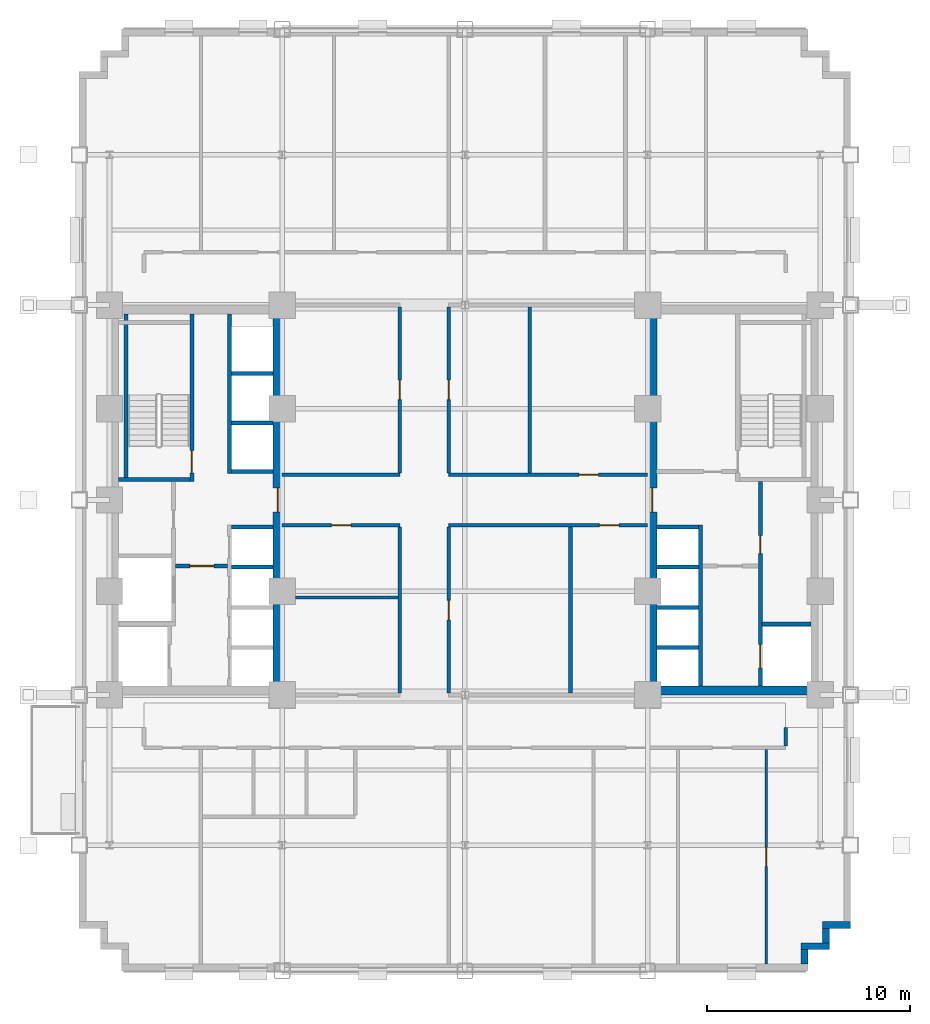
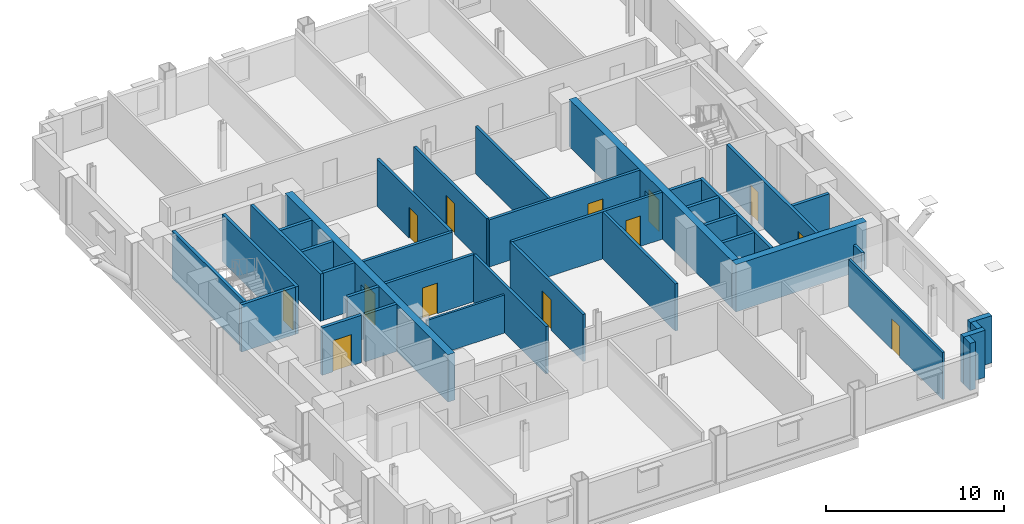
# One storey, part 6 of 12: 37 walls, 13 doors, 13 openings.
"""IFC4 building model written with IfcOpenShell, lengths in metres."""

from ifc_helpers import new_model, si_unit, direction, frame, frame_2d, origin, place, context, subcontext, project, spatial, rectangle, extrude, source, transform, mapped, material, layer, layer_set, type_object, type_shapes, element, fill, save


model = new_model("IFC4")

# Units and contexts
model_context = context("Model", 3, precision=1e-05, world=origin(), true_north=direction((0.0, 1.0)))
body_context = subcontext(model_context, "Body", "Model", "MODEL_VIEW")
ifc_project = project(units=[si_unit("LENGTHUNIT", "METRE"), si_unit("AREAUNIT", "SQUARE_METRE"), si_unit("VOLUMEUNIT", "CUBIC_METRE"), si_unit("PLANEANGLEUNIT", "RADIAN"), si_unit("MASSUNIT", "GRAM", prefix="KILO")], contexts=[model_context])

# Site, building, storey
site_placement = place(None, origin())
site = spatial("IfcSite", under=ifc_project, at=site_placement, CompositionType="ELEMENT")
building_placement = place(site_placement, origin())
building = spatial("IfcBuilding", under=site, at=building_placement, Name="Nuvemarco Arch Tower", CompositionType="ELEMENT")
storey_placement = place(building_placement, frame((0.0, 0.0, 53.14990234375)))
storey = spatial("IfcBuildingStorey", under=building, at=storey_placement, Name="L13", CompositionType="ELEMENT", Elevation=53.14990234375)

# Walls
ifc_material_1 = material(Name="Precast concrete C45/55", Category="concrete")
ifc_layer_1 = layer(ifc_material_1, 0.340087890625, Name="EW-LOW-340")
ifc_layer_set_1 = layer_set([ifc_layer_1], Name="Precast concrete C45/55")
wall_type_1 = type_object("IfcWallType", Name="EW-LOW-340", PredefinedType="STANDARD", material=ifc_layer_set_1)
wall_1_placement = place(storey_placement, frame((16.72998046875, -22.864013671875, 0.0), z_axis=(0.0, 0.0, 1.0), x_axis=(0.0, 1.0, 0.0)))
element("IfcWall", 1, at=wall_1_placement, inside=storey, type_object=wall_type_1, Name="L13 exterior precast facade wall 2", PredefinedType="STANDARD", context=body_context, shape_type="SweptSolid", body=[
    extrude(rectangle(XDim=0.718017578125, YDim=0.340087890625, at=frame_2d((0.35888671875, 0.0))), origin(), (0.0, 0.0, 1.0), 3.239990234375),
])
wall_2_placement = place(storey_placement, frame((16.56005859375, -21.97998046875, 0.0), z_axis=(0.0, 0.0, 1.0), x_axis=(1.0, 0.0, 0.0)))
element("IfcWall", 2, at=wall_2_placement, inside=storey, type_object=wall_type_1, Name="L13 exterior precast facade wall 3", PredefinedType="STANDARD", context=body_context, shape_type="SweptSolid", body=[
    extrude(rectangle(XDim=1.389892578125, YDim=0.340087890625, at=frame_2d((0.69482421875, 0.0))), origin(), (0.0, 0.0, 1.0), 3.239990234375),
])
wall_3_placement = place(storey_placement, frame((17.780029296875, -21.81396484375, 0.0), z_axis=(0.0, 0.0, 1.0), x_axis=(0.0, 1.0, 0.0)))
element("IfcWall", 3, at=wall_3_placement, inside=storey, type_object=wall_type_1, Name="L13 exterior precast facade wall 4", PredefinedType="STANDARD", context=body_context, shape_type="SweptSolid", body=[
    extrude(rectangle(XDim=0.718017578125, YDim=0.340087890625, at=frame_2d((0.35888671875, 0.0))), origin(), (0.0, 0.0, 1.0), 3.239990234375),
])
wall_4_placement = place(storey_placement, frame((17.610107421875, -20.929931640625, 0.0), z_axis=(0.0, 0.0, 1.0), x_axis=(1.0, 0.0, 0.0)))
element("IfcWall", 4, at=wall_4_placement, inside=storey, type_object=wall_type_1, Name="L13 exterior precast facade wall 5", PredefinedType="STANDARD", context=body_context, shape_type="SweptSolid", body=[
    extrude(rectangle(XDim=1.389892578125, YDim=0.340087890625, at=frame_2d((0.69482421875, 0.0))), origin(), (0.0, 0.0, 1.0), 3.239990234375),
])

# Wall, opening, door
ifc_material_2 = material(Name="Concrete C60/75", Category="concrete")
ifc_layer_2 = layer(ifc_material_2, 0.449951171875, Name="WL-CORE-450")
ifc_layer_set_2 = layer_set([ifc_layer_2], Name="Concrete C60/75")
wall_type_2 = type_object("IfcWallType", Name="WL-CORE-450", PredefinedType="SHEAR", material=ifc_layer_set_2)
wall_5_placement = place(storey_placement, frame((-9.22509765625, -9.155029296875, 0.0), z_axis=(0.0, 0.0, 1.0), x_axis=(0.0, 1.0, 0.0)))
wall_5 = element("IfcWall", 5, at=wall_5_placement, inside=storey, type_object=wall_type_2, Name="L13 W-core shear wall E", PredefinedType="SHEAR", context=body_context, shape_type="SweptSolid", body=[
    extrude(rectangle(XDim=18.31005859375, YDim=0.449951171875, at=frame_2d((9.155029296875, 0.0))), origin(), (0.0, 0.0, 1.0), 3.25),
])
opening_1_placement = place(wall_5_placement, frame((8.554931640625, 0.0, 0.0)))
opening_1 = element("IfcOpeningElement", 6, at=opening_1_placement, cuts=wall_5, Name="Opening FD-2", PredefinedType="OPENING", context=body_context, shape_type="SweptSolid", body=[
    extrude(rectangle(XDim=1.199951171875, YDim=2.14990234375, at=frame_2d((0.60009765625, 1.074951171875))), frame((0.0, 0.23486328125, 0.0), z_axis=(0.0, -1.0, 0.0), x_axis=(1.0, 0.0, 0.0)), (0.0, 0.0, 1.0), 0.469970703125),
])
ifc_material_3 = material(Name="Anodised steel fire door", Category="steel")
door_type_1 = type_object("IfcDoorType", Name="DR-FFLOB-FD", OperationType="NOTDEFINED", PredefinedType="DOOR", material=ifc_material_3)
shared_shape_1 = source(origin(), body_context, "Body", "SweptSolid", [
    extrude(rectangle(XDim=1.199951171875, YDim=2.14990234375, at=frame_2d((0.60009765625, 1.074951171875))), frame((0.0, 0.02490234375, 0.0), z_axis=(0.0, -1.0, 0.0), x_axis=(1.0, 0.0, 0.0)), (0.0, 0.0, 1.0), 0.050048828125),
])
type_shapes(door_type_1, [shared_shape_1])
door_1_placement = place(opening_1_placement, origin())
door_1 = element("IfcDoor", 7, at=door_1_placement, inside=storey, type_object=door_type_1, Name="L13 door FD-L13-WCORE-E", OperationType="SINGLE_SWING_LEFT", OverallHeight=2.14990234375, OverallWidth=1.199951171875, PredefinedType="DOOR", context=body_context, shape_type="MappedRepresentation", body=[
    mapped(shared_shape_1, transform((0.0, 0.0, 0.0), scale=1.0)),
])
fill(opening_1, door_1)

# Wall
wall_6_placement = place(storey_placement, frame((9.0, -9.375, 0.0), z_axis=(0.0, 0.0, 1.0), x_axis=(1.0, 0.0, 0.0)))
element("IfcWall", 8, at=wall_6_placement, inside=storey, type_object=wall_type_2, Name="L13 E-core shear wall S", PredefinedType="SHEAR", context=body_context, shape_type="SweptSolid", body=[
    extrude(rectangle(XDim=8.5, YDim=0.449951171875, at=frame_2d((4.25, 0.0))), origin(), (0.0, 0.0, 1.0), 3.25),
])

# Wall, opening, door
wall_7_placement = place(storey_placement, frame((9.22509765625, -9.155029296875, 0.0), z_axis=(0.0, 0.0, 1.0), x_axis=(0.0, 1.0, 0.0)))
wall_7 = element("IfcWall", 9, at=wall_7_placement, inside=storey, type_object=wall_type_2, Name="L13 E-core shear wall W", PredefinedType="SHEAR", context=body_context, shape_type="SweptSolid", body=[
    extrude(rectangle(XDim=18.31005859375, YDim=0.449951171875, at=frame_2d((9.155029296875, 0.0))), origin(), (0.0, 0.0, 1.0), 3.25),
])
opening_2_placement = place(wall_7_placement, frame((8.554931640625, 0.0, 0.0)))
opening_2 = element("IfcOpeningElement", 10, at=opening_2_placement, cuts=wall_7, Name="Opening FD-2", PredefinedType="OPENING", context=body_context, shape_type="SweptSolid", body=[
    extrude(rectangle(XDim=1.199951171875, YDim=2.14990234375, at=frame_2d((0.60009765625, 1.074951171875))), frame((0.0, 0.23486328125, 0.0), z_axis=(0.0, -1.0, 0.0), x_axis=(1.0, 0.0, 0.0)), (0.0, 0.0, 1.0), 0.469970703125),
])
door_2_placement = place(opening_2_placement, origin())
door_2 = element("IfcDoor", 11, at=door_2_placement, inside=storey, type_object=door_type_1, Name="L13 door FD-L13-ECORE-W", OperationType="SINGLE_SWING_RIGHT", OverallHeight=2.14990234375, OverallWidth=1.199951171875, PredefinedType="DOOR", context=body_context, shape_type="MappedRepresentation", body=[
    mapped(shared_shape_1, transform((0.0, 0.0, 0.0), scale=1.0)),
])
fill(opening_2, door_2)

ifc_material_4 = material(Name="Fire-rated gypsum drywall partition")
ifc_layer_3 = layer(ifc_material_4, 0.179931640625, Name="WL-CORR-180")
ifc_layer_set_3 = layer_set([ifc_layer_3], Name="Fire-rated gypsum drywall partition")
wall_type_3 = type_object("IfcWallType", Name="WL-CORR-180", PredefinedType="PARTITIONING", material=ifc_layer_set_3)
wall_8_placement = place(storey_placement, frame((-9.0, -1.25, 0.0), z_axis=(0.0, 0.0, 1.0), x_axis=(1.0, 0.0, 0.0)))
wall_8 = element("IfcWall", 12, at=wall_8_placement, inside=storey, type_object=wall_type_3, Name="L13 interior wall IW-L13-007", PredefinedType="PARTITIONING", context=body_context, shape_type="SweptSolid", body=[
    extrude(rectangle(XDim=5.800048828125, YDim=0.179931640625, at=frame_2d((2.89990234375, 0.0))), origin(), (0.0, 0.0, 1.0), 3.239990234375),
])
opening_3_placement = place(wall_8_placement, frame((2.419921875, 0.0, 0.0)))
opening_3 = element("IfcOpeningElement", 13, at=opening_3_placement, cuts=wall_8, Name="Opening FD-5", PredefinedType="OPENING", context=body_context, shape_type="SweptSolid", body=[
    extrude(rectangle(XDim=0.9599609375, YDim=2.10009765625, at=frame_2d((0.47998046875, 1.050048828125))), frame((0.0, 0.099853515625, 0.0), z_axis=(0.0, -1.0, 0.0), x_axis=(1.0, 0.0, 0.0)), (0.0, 0.0, 1.0), 0.199951171875),
])
ifc_material_5 = material(Name="Timber fire door", Category="wood")
door_type_2 = type_object("IfcDoorType", Name="DR-CORR-FD", OperationType="NOTDEFINED", PredefinedType="DOOR", material=ifc_material_5)
shared_shape_2 = source(origin(), body_context, "Body", "SweptSolid", [
    extrude(rectangle(XDim=0.9599609375, YDim=2.10009765625, at=frame_2d((0.47998046875, 1.050048828125))), frame((0.0, 0.02490234375, 0.0), z_axis=(0.0, -1.0, 0.0), x_axis=(1.0, 0.0, 0.0)), (0.0, 0.0, 1.0), 0.050048828125),
])
type_shapes(door_type_2, [shared_shape_2])
door_3_placement = place(opening_3_placement, origin())
door_3 = element("IfcDoor", 14, at=door_3_placement, inside=storey, type_object=door_type_2, Name="L13 door DR-L13-C_SW1", OperationType="SINGLE_SWING_LEFT", OverallHeight=2.10009765625, OverallWidth=0.9599609375, PredefinedType="DOOR", context=body_context, shape_type="MappedRepresentation", body=[
    mapped(shared_shape_2, transform((0.0, 0.0, 0.0), scale=1.0)),
])
fill(opening_3, door_3)

wall_9_placement = place(storey_placement, frame((-0.800048828125, -1.25, 0.0), z_axis=(0.0, 0.0, 1.0), x_axis=(1.0, 0.0, 0.0)))
wall_9 = element("IfcWall", 15, at=wall_9_placement, inside=storey, type_object=wall_type_3, Name="L13 interior wall IW-L13-008", PredefinedType="PARTITIONING", context=body_context, shape_type="SweptSolid", body=[
    extrude(rectangle(XDim=9.800048828125, YDim=0.179931640625, at=frame_2d((4.89990234375, 0.0))), origin(), (0.0, 0.0, 1.0), 3.239990234375),
])
opening_4_placement = place(wall_9_placement, frame((7.419921875, 0.0, 0.0)))
opening_4 = element("IfcOpeningElement", 16, at=opening_4_placement, cuts=wall_9, Name="Opening FD-5", PredefinedType="OPENING", context=body_context, shape_type="SweptSolid", body=[
    extrude(rectangle(XDim=0.9599609375, YDim=2.10009765625, at=frame_2d((0.47998046875, 1.050048828125))), frame((0.0, 0.099853515625, 0.0), z_axis=(0.0, -1.0, 0.0), x_axis=(1.0, 0.0, 0.0)), (0.0, 0.0, 1.0), 0.199951171875),
])
door_4_placement = place(opening_4_placement, origin())
door_4 = element("IfcDoor", 17, at=door_4_placement, inside=storey, type_object=door_type_2, Name="L13 door DR-L13-C_SE2", OperationType="SINGLE_SWING_RIGHT", OverallHeight=2.10009765625, OverallWidth=0.9599609375, PredefinedType="DOOR", context=body_context, shape_type="MappedRepresentation", body=[
    mapped(shared_shape_2, transform((0.0, 0.0, 0.0), scale=1.0)),
])
fill(opening_4, door_4)

# Wall
wall_10_placement = place(storey_placement, frame((-9.0, 1.25, 0.0), z_axis=(0.0, 0.0, 1.0), x_axis=(1.0, 0.0, 0.0)))
element("IfcWall", 18, at=wall_10_placement, inside=storey, type_object=wall_type_3, Name="L13 interior wall IW-L13-009", PredefinedType="PARTITIONING", context=body_context, shape_type="SweptSolid", body=[
    extrude(rectangle(XDim=5.800048828125, YDim=0.179931640625, at=frame_2d((2.89990234375, 0.0))), origin(), (0.0, 0.0, 1.0), 3.239990234375),
])

# Wall, opening, door
wall_11_placement = place(storey_placement, frame((-0.800048828125, 1.25, 0.0), z_axis=(0.0, 0.0, 1.0), x_axis=(1.0, 0.0, 0.0)))
wall_11 = element("IfcWall", 19, at=wall_11_placement, inside=storey, type_object=wall_type_3, Name="L13 interior wall IW-L13-010", PredefinedType="PARTITIONING", context=body_context, shape_type="SweptSolid", body=[
    extrude(rectangle(XDim=9.800048828125, YDim=0.179931640625, at=frame_2d((4.89990234375, 0.0))), origin(), (0.0, 0.0, 1.0), 3.239990234375),
])
opening_5_placement = place(wall_11_placement, frame((6.419921875, 0.0, 0.0)))
opening_5 = element("IfcOpeningElement", 20, at=opening_5_placement, cuts=wall_11, Name="Opening FD-5", PredefinedType="OPENING", context=body_context, shape_type="SweptSolid", body=[
    extrude(rectangle(XDim=0.9599609375, YDim=2.10009765625, at=frame_2d((0.47998046875, 1.050048828125))), frame((0.0, 0.099853515625, 0.0), z_axis=(0.0, -1.0, 0.0), x_axis=(1.0, 0.0, 0.0)), (0.0, 0.0, 1.0), 0.199951171875),
])
door_5_placement = place(opening_5_placement, origin())
door_5 = element("IfcDoor", 21, at=door_5_placement, inside=storey, type_object=door_type_2, Name="L13 door DR-L13-C_NE2", OperationType="SINGLE_SWING_RIGHT", OverallHeight=2.10009765625, OverallWidth=0.9599609375, PredefinedType="DOOR", context=body_context, shape_type="MappedRepresentation", body=[
    mapped(shared_shape_2, transform((0.0, 0.0, 0.0), scale=1.0)),
])
fill(opening_5, door_5)

# Wall
wall_12_placement = place(storey_placement, frame((-3.199951171875, -9.513916015625, 0.0), z_axis=(0.0, 0.0, 1.0), x_axis=(0.0, 1.0, 0.0)))
element("IfcWall", 22, at=wall_12_placement, inside=storey, type_object=wall_type_3, Name="L13 interior wall IW-L13-023", PredefinedType="PARTITIONING", context=body_context, shape_type="SweptSolid", body=[
    extrude(rectangle(XDim=8.177978515625, YDim=0.179931640625, at=frame_2d((4.0888671875, 0.0))), origin(), (0.0, 0.0, 1.0), 3.239990234375),
])

# Wall, opening, door
wall_13_placement = place(storey_placement, frame((-3.199951171875, 1.3359375, 0.0), z_axis=(0.0, 0.0, 1.0), x_axis=(0.0, 1.0, 0.0)))
wall_13 = element("IfcWall", 23, at=wall_13_placement, inside=storey, type_object=wall_type_3, Name="L13 interior wall IW-L13-024", PredefinedType="PARTITIONING", context=body_context, shape_type="SweptSolid", body=[
    extrude(rectangle(XDim=8.177978515625, YDim=0.179931640625, at=frame_2d((4.0888671875, 0.0))), origin(), (0.0, 0.0, 1.0), 3.239990234375),
])
opening_6_placement = place(wall_13_placement, frame((3.60888671875, 0.0, 0.0)))
opening_6 = element("IfcOpeningElement", 24, at=opening_6_placement, cuts=wall_13, Name="Opening FD-5", PredefinedType="OPENING", context=body_context, shape_type="SweptSolid", body=[
    extrude(rectangle(XDim=0.9599609375, YDim=2.10009765625, at=frame_2d((0.47998046875, 1.050048828125))), frame((0.0, 0.099853515625, 0.0), z_axis=(0.0, -1.0, 0.0), x_axis=(1.0, 0.0, 0.0)), (0.0, 0.0, 1.0), 0.199951171875),
])
door_6_placement = place(opening_6_placement, origin())
door_6 = element("IfcDoor", 25, at=door_6_placement, inside=storey, type_object=door_type_2, Name="L13 door DR-L13-C_NW", OperationType="SINGLE_SWING_RIGHT", OverallHeight=2.10009765625, OverallWidth=0.9599609375, PredefinedType="DOOR", context=body_context, shape_type="MappedRepresentation", body=[
    mapped(shared_shape_2, transform((0.0, 0.0, 0.0), scale=1.0)),
])
fill(opening_6, door_6)

wall_14_placement = place(storey_placement, frame((-0.800048828125, -9.513916015625, 0.0), z_axis=(0.0, 0.0, 1.0), x_axis=(0.0, 1.0, 0.0)))
wall_14 = element("IfcWall", 26, at=wall_14_placement, inside=storey, type_object=wall_type_3, Name="L13 interior wall IW-L13-026", PredefinedType="PARTITIONING", context=body_context, shape_type="SweptSolid", body=[
    extrude(rectangle(XDim=8.177978515625, YDim=0.179931640625, at=frame_2d((4.0888671875, 0.0))), origin(), (0.0, 0.0, 1.0), 3.239990234375),
])
opening_7_placement = place(wall_14_placement, frame((3.60888671875, 0.0, 0.0)))
opening_7 = element("IfcOpeningElement", 27, at=opening_7_placement, cuts=wall_14, Name="Opening FD-5", PredefinedType="OPENING", context=body_context, shape_type="SweptSolid", body=[
    extrude(rectangle(XDim=0.9599609375, YDim=2.10009765625, at=frame_2d((0.47998046875, 1.050048828125))), frame((0.0, 0.099853515625, 0.0), z_axis=(0.0, -1.0, 0.0), x_axis=(1.0, 0.0, 0.0)), (0.0, 0.0, 1.0), 0.199951171875),
])
door_7_placement = place(opening_7_placement, origin())
door_7 = element("IfcDoor", 28, at=door_7_placement, inside=storey, type_object=door_type_2, Name="L13 door DR-L13-C_SE1", OperationType="SINGLE_SWING_RIGHT", OverallHeight=2.10009765625, OverallWidth=0.9599609375, PredefinedType="DOOR", context=body_context, shape_type="MappedRepresentation", body=[
    mapped(shared_shape_2, transform((0.0, 0.0, 0.0), scale=1.0)),
])
fill(opening_7, door_7)

wall_15_placement = place(storey_placement, frame((-0.800048828125, 1.3359375, 0.0), z_axis=(0.0, 0.0, 1.0), x_axis=(0.0, 1.0, 0.0)))
wall_15 = element("IfcWall", 29, at=wall_15_placement, inside=storey, type_object=wall_type_3, Name="L13 interior wall IW-L13-027", PredefinedType="PARTITIONING", context=body_context, shape_type="SweptSolid", body=[
    extrude(rectangle(XDim=8.177978515625, YDim=0.179931640625, at=frame_2d((4.0888671875, 0.0))), origin(), (0.0, 0.0, 1.0), 3.239990234375),
])
opening_8_placement = place(wall_15_placement, frame((3.60888671875, 0.0, 0.0)))
opening_8 = element("IfcOpeningElement", 30, at=opening_8_placement, cuts=wall_15, Name="Opening FD-5", PredefinedType="OPENING", context=body_context, shape_type="SweptSolid", body=[
    extrude(rectangle(XDim=0.9599609375, YDim=2.10009765625, at=frame_2d((0.47998046875, 1.050048828125))), frame((0.0, 0.099853515625, 0.0), z_axis=(0.0, -1.0, 0.0), x_axis=(1.0, 0.0, 0.0)), (0.0, 0.0, 1.0), 0.199951171875),
])
door_8_placement = place(opening_8_placement, origin())
door_8 = element("IfcDoor", 31, at=door_8_placement, inside=storey, type_object=door_type_2, Name="L13 door DR-L13-C_NE1", OperationType="SINGLE_SWING_LEFT", OverallHeight=2.10009765625, OverallWidth=0.9599609375, PredefinedType="DOOR", context=body_context, shape_type="MappedRepresentation", body=[
    mapped(shared_shape_2, transform((0.0, 0.0, 0.0), scale=1.0)),
])
fill(opening_8, door_8)

# Walls
for number, where, z_axis, x_axis, name in (
    (32, (3.199951171875, 1.3359375, 0.0), (0.0, 0.0, 1.0), (0.0, 1.0, 0.0), "L13 interior wall IW-L13-029"),
    (33, (5.199951171875, -9.513916015625, 0.0), (0.0, 0.0, 1.0), (0.0, 1.0, 0.0), "L13 interior wall IW-L13-031"),
):
    element("IfcWall", number, at=place(storey_placement, frame(where, z_axis=z_axis, x_axis=x_axis)), inside=storey, type_object=wall_type_3, Name=name, PredefinedType="PARTITIONING", context=body_context, shape_type="SweptSolid", body=[
        extrude(rectangle(XDim=8.177978515625, YDim=0.179931640625, at=frame_2d((4.0888671875, 0.0))), origin(), (0.0, 0.0, 1.0), 3.239990234375),
    ])
wall_16_placement = place(storey_placement, frame((15.800048828125, -12.114013671875, 0.0), z_axis=(0.0, 0.0, 1.0), x_axis=(0.0, 1.0, 0.0)))
element("IfcWall", 34, at=wall_16_placement, inside=storey, type_object=wall_type_3, Name="L13 interior wall IW-L13-037", PredefinedType="PARTITIONING", context=body_context, shape_type="SweptSolid", body=[
    extrude(rectangle(XDim=0.9140625, YDim=0.179931640625, at=frame_2d((0.45703125, 0.0))), origin(), (0.0, 0.0, 1.0), 3.239990234375),
])
ifc_material_6 = material(Name="Gypsum plasterboard partition")
ifc_layer_4 = layer(ifc_material_6, 0.139892578125, Name="WL-ROOM-140")
ifc_layer_set_4 = layer_set([ifc_layer_4], Name="Gypsum plasterboard partition")
wall_type_4 = type_object("IfcWallType", Name="WL-ROOM-140", PredefinedType="PARTITIONING", material=ifc_layer_set_4)
wall_17_placement = place(storey_placement, frame((-8.35400390625, -4.800048828125, 0.0), z_axis=(0.0, 0.0, 1.0), x_axis=(1.0, 0.0, 0.0)))
element("IfcWall", 35, at=wall_17_placement, inside=storey, type_object=wall_type_4, Name="L13 interior wall IW-L13-006", PredefinedType="PARTITIONING", context=body_context, shape_type="SweptSolid", body=[
    extrude(rectangle(XDim=5.068115234375, YDim=0.139892578125, at=frame_2d((2.5341796875, 0.0))), origin(), (0.0, 0.0, 1.0), 2.6181640625),
])

# Wall, opening, door
wall_18_placement = place(storey_placement, frame((14.840087890625, -22.860107421875, 0.0), z_axis=(0.0, 0.0, 1.0), x_axis=(0.0, 1.0, 0.0)))
wall_18 = element("IfcWall", 36, at=wall_18_placement, inside=storey, type_object=wall_type_4, Name="L13 interior wall IW-L13-036", PredefinedType="PARTITIONING", context=body_context, shape_type="SweptSolid", body=[
    extrude(rectangle(XDim=10.57421875, YDim=0.139892578125, at=frame_2d((5.287109375, 0.0))), origin(), (0.0, 0.0, 1.0), 3.239990234375),
])
opening_9_placement = place(wall_18_placement, frame((4.81689453125, 0.0, 0.0)))
opening_9 = element("IfcOpeningElement", 37, at=opening_9_placement, cuts=wall_18, Name="Opening ID-1", PredefinedType="OPENING", context=body_context, shape_type="SweptSolid", body=[
    extrude(rectangle(XDim=0.93994140625, YDim=2.10009765625, at=frame_2d((0.469970703125, 1.050048828125))), frame((0.0, 0.079833984375, 0.0), z_axis=(0.0, -1.0, 0.0), x_axis=(1.0, 0.0, 0.0)), (0.0, 0.0, 1.0), 0.159912109375),
])
ifc_material_7 = material(Name="Veneered oak timber door", Category="wood")
door_type_3 = type_object("IfcDoorType", Name="DR-OFFICE-1", OperationType="NOTDEFINED", PredefinedType="DOOR", material=ifc_material_7)
shared_shape_3 = source(origin(), body_context, "Body", "SweptSolid", [
    extrude(rectangle(XDim=0.93994140625, YDim=2.10009765625, at=frame_2d((0.469970703125, 1.050048828125))), frame((0.0, 0.02490234375, 0.0), z_axis=(0.0, -1.0, 0.0), x_axis=(1.0, 0.0, 0.0)), (0.0, 0.0, 1.0), 0.050048828125),
])
type_shapes(door_type_3, [shared_shape_3])
door_9_placement = place(opening_9_placement, origin())
door_9 = element("IfcDoor", 38, at=door_9_placement, inside=storey, type_object=door_type_3, Name="L13 door DR-L13-S_6", OperationType="SINGLE_SWING_RIGHT", OverallHeight=2.10009765625, OverallWidth=0.93994140625, PredefinedType="DOOR", context=body_context, shape_type="MappedRepresentation", body=[
    mapped(shared_shape_3, transform((0.0, 0.0, 0.0), scale=1.0)),
])
fill(opening_9, door_9)

ifc_material_8 = material(Name="Concrete C50/60", Category="concrete")
ifc_layer_5 = layer(ifc_material_8, 0.199951171875, Name="WL-SHAFT-220")
ifc_layer_set_5 = layer_set([ifc_layer_5], Name="Concrete C50/60")
wall_type_5 = type_object("IfcWallType", Name="WL-SHAFT-220", PredefinedType="SHEAR", material=ifc_layer_set_5)
wall_19_placement = place(storey_placement, frame((-13.43994140625, 0.89990234375, 0.0), z_axis=(0.0, 0.0, 1.0), x_axis=(0.0, 1.0, 0.0)))
wall_19 = element("IfcWall", 39, at=wall_19_placement, inside=storey, type_object=wall_type_5, Name="L13 structural shaft wall SW-L13-W-ST1E", PredefinedType="SHEAR", context=body_context, shape_type="SweptSolid", body=[
    extrude(rectangle(XDim=8.255126953125, YDim=0.199951171875, at=frame_2d((4.12744140625, 0.0))), origin(), (0.0, 0.0, 1.0), 3.25),
])
opening_10_placement = place(wall_19_placement, frame((1.530029296875, 0.0, 0.0), z_axis=(0.0, 0.0, 1.0), x_axis=(-1.0, 0.0, 0.0)))
opening_10 = element("IfcOpeningElement", 40, at=opening_10_placement, cuts=wall_19, Name="Opening FD-1", PredefinedType="OPENING", context=body_context, shape_type="SweptSolid", body=[
    extrude(rectangle(XDim=1.10009765625, YDim=2.14990234375, at=frame_2d((0.550048828125, 1.074951171875))), frame((0.0, 0.10986328125, 0.0), z_axis=(0.0, -1.0, 0.0), x_axis=(1.0, 0.0, 0.0)), (0.0, 0.0, 1.0), 0.219970703125),
])
door_type_4 = type_object("IfcDoorType", Name="DR-STAIR-FD", OperationType="NOTDEFINED", PredefinedType="DOOR", material=ifc_material_3)
shared_shape_4 = source(origin(), body_context, "Body", "SweptSolid", [
    extrude(rectangle(XDim=1.10009765625, YDim=2.14990234375, at=frame_2d((0.550048828125, 1.074951171875))), frame((0.0, 0.02490234375, 0.0), z_axis=(0.0, -1.0, 0.0), x_axis=(1.0, 0.0, 0.0)), (0.0, 0.0, 1.0), 0.050048828125),
])
type_shapes(door_type_4, [shared_shape_4])
door_10_placement = place(opening_10_placement, origin())
door_10 = element("IfcDoor", 41, at=door_10_placement, inside=storey, type_object=door_type_4, Name="L13 door FD-L13-ST1", OperationType="SINGLE_SWING_LEFT", OverallHeight=2.14990234375, OverallWidth=1.10009765625, PredefinedType="DOOR", context=body_context, shape_type="MappedRepresentation", body=[
    mapped(shared_shape_4, transform((0.0, 0.0, 0.0), scale=1.0)),
])
fill(opening_10, door_10)

# Walls
wall_20_placement = place(storey_placement, frame((-17.054931640625, 1.0, 0.0), z_axis=(0.0, 0.0, 1.0), x_axis=(1.0, 0.0, 0.0)))
element("IfcWall", 42, at=wall_20_placement, inside=storey, type_object=wall_type_5, Name="L13 structural shaft wall SW-L13-W-ST1S", PredefinedType="SHEAR", context=body_context, shape_type="SweptSolid", body=[
    extrude(rectangle(XDim=3.52001953125, YDim=0.199951171875, at=frame_2d((1.760009765625, 0.0))), origin(), (0.0, 0.0, 1.0), 3.25),
])
wall_21_placement = place(storey_placement, frame((-16.699951171875, 1.094970703125, 0.0), z_axis=(0.0, 0.0, 1.0), x_axis=(0.0, 1.0, 0.0)))
element("IfcWall", 43, at=wall_21_placement, inside=storey, type_object=wall_type_5, Name="L13 structural shaft wall SW-L13-W-ST1W", PredefinedType="SHEAR", context=body_context, shape_type="SweptSolid", body=[
    extrude(rectangle(XDim=8.06005859375, YDim=0.199951171875, at=frame_2d((4.030029296875, 0.0))), origin(), (0.0, 0.0, 1.0), 3.25),
])

# Wall, opening, door
wall_22_placement = place(storey_placement, frame((-14.2548828125, -3.25, 0.0), z_axis=(0.0, 0.0, 1.0), x_axis=(1.0, 0.0, 0.0)))
wall_22 = element("IfcWall", 44, at=wall_22_placement, inside=storey, type_object=wall_type_5, Name="L13 structural shaft wall SW-L13-W-FFN", PredefinedType="SHEAR", context=body_context, shape_type="SweptSolid", body=[
    extrude(rectangle(XDim=2.559814453125, YDim=0.199951171875, at=frame_2d((1.27978515625, 0.0))), origin(), (0.0, 0.0, 1.0), 3.25),
])
opening_11_placement = place(wall_22_placement, frame((0.705078125, 0.0, 0.0)))
opening_11 = element("IfcOpeningElement", 45, at=opening_11_placement, cuts=wall_22, Name="Opening FD-2", PredefinedType="OPENING", context=body_context, shape_type="SweptSolid", body=[
    extrude(rectangle(XDim=1.199951171875, YDim=2.14990234375, at=frame_2d((0.60009765625, 1.074951171875))), frame((0.0, 0.10986328125, 0.0), z_axis=(0.0, -1.0, 0.0), x_axis=(1.0, 0.0, 0.0)), (0.0, 0.0, 1.0), 0.219970703125),
])
door_11_placement = place(opening_11_placement, origin())
door_11 = element("IfcDoor", 46, at=door_11_placement, inside=storey, type_object=door_type_1, Name="L13 door FD-L13-WFF1", OperationType="SINGLE_SWING_LEFT", OverallHeight=2.14990234375, OverallWidth=1.199951171875, PredefinedType="DOOR", context=body_context, shape_type="MappedRepresentation", body=[
    mapped(shared_shape_1, transform((0.0, 0.0, 0.0), scale=1.0)),
])
fill(opening_11, door_11)

# Walls
for number, where, z_axis, x_axis, name in (
    (47, (-11.5048828125, -3.31005859375, 0.0), (0.0, 0.0, 1.0), (1.0, 0.0, 0.0), "L13 structural shaft wall SW-L13-W-PLD3"),
    (48, (-11.5048828125, -1.330078125, 0.0), (0.0, 0.0, 1.0), (1.0, 0.0, 0.0), "L13 structural shaft wall SW-L13-W-PLD4"),
):
    element("IfcWall", number, at=place(storey_placement, frame(where, z_axis=z_axis, x_axis=x_axis)), inside=storey, type_object=wall_type_5, Name=name, PredefinedType="SHEAR", context=body_context, shape_type="SweptSolid", body=[
        extrude(rectangle(XDim=2.059814453125, YDim=0.199951171875, at=frame_2d((1.02978515625, 0.0))), origin(), (0.0, 0.0, 1.0), 3.25),
    ])
wall_23_placement = place(storey_placement, frame((-11.60009765625, 1.300048828125, 0.0), z_axis=(0.0, 0.0, 1.0), x_axis=(0.0, 1.0, 0.0)))
element("IfcWall", 49, at=wall_23_placement, inside=storey, type_object=wall_type_5, Name="L13 structural shaft wall SW-L13-W-PHW", PredefinedType="SHEAR", context=body_context, shape_type="SweptSolid", body=[
    extrude(rectangle(XDim=7.85498046875, YDim=0.199951171875, at=frame_2d((3.927490234375, 0.0))), origin(), (0.0, 0.0, 1.0), 3.25),
])
for number, where, z_axis, x_axis, name in (
    (50, (-11.5048828125, 1.39990234375, 0.0), (0.0, 0.0, 1.0), (1.0, 0.0, 0.0), "L13 structural shaft wall SW-L13-W-PHD1"),
    (51, (-11.5048828125, 3.800048828125, 0.0), (0.0, 0.0, 1.0), (1.0, 0.0, 0.0), "L13 structural shaft wall SW-L13-W-PHD2"),
    (52, (-11.5048828125, 6.219970703125, 0.0), (0.0, 0.0, 1.0), (1.0, 0.0, 0.0), "L13 structural shaft wall SW-L13-W-PHD3"),
):
    element("IfcWall", number, at=place(storey_placement, frame(where, z_axis=z_axis, x_axis=x_axis)), inside=storey, type_object=wall_type_5, Name=name, PredefinedType="SHEAR", context=body_context, shape_type="SweptSolid", body=[
        extrude(rectangle(XDim=2.059814453125, YDim=0.199951171875, at=frame_2d((1.02978515625, 0.0))), origin(), (0.0, 0.0, 1.0), 3.25),
    ])

# Wall, openings, doors
wall_24_placement = place(storey_placement, frame((14.550048828125, -9.155029296875, 0.0), z_axis=(0.0, 0.0, 1.0), x_axis=(0.0, 1.0, 0.0)))
wall_24 = element("IfcWall", 53, at=wall_24_placement, inside=storey, type_object=wall_type_5, Name="L13 structural shaft wall SW-L13-E-SHW", PredefinedType="SHEAR", context=body_context, shape_type="SweptSolid", body=[
    extrude(rectangle(XDim=10.06005859375, YDim=0.199951171875, at=frame_2d((5.030029296875, 0.0))), origin(), (0.0, 0.0, 1.0), 3.25),
])
opening_12_placement = place(wall_24_placement, frame((6.514892578125, 0.0, 0.0)))
opening_12 = element("IfcOpeningElement", 54, at=opening_12_placement, cuts=wall_24, Name="Opening FD-4", PredefinedType="OPENING", context=body_context, shape_type="SweptSolid", body=[
    extrude(rectangle(XDim=0.8798828125, YDim=2.10009765625, at=frame_2d((0.43994140625, 1.050048828125))), frame((0.0, 0.10986328125, 0.0), z_axis=(0.0, -1.0, 0.0), x_axis=(1.0, 0.0, 0.0)), (0.0, 0.0, 1.0), 0.219970703125),
])
opening_13_placement = place(wall_24_placement, frame((0.8798828125, 0.0, 0.0)))
opening_13 = element("IfcOpeningElement", 55, at=opening_13_placement, cuts=wall_24, Name="Opening LD-2", PredefinedType="OPENING", context=body_context, shape_type="SweptSolid", body=[
    extrude(rectangle(XDim=1.14990234375, YDim=2.14990234375, at=frame_2d((0.574951171875, 1.074951171875))), frame((0.0, 0.10986328125, 0.0), z_axis=(0.0, -1.0, 0.0), x_axis=(1.0, 0.0, 0.0)), (0.0, 0.0, 1.0), 0.219970703125),
])
door_type_5 = type_object("IfcDoorType", Name="DR-RISER-FD", OperationType="NOTDEFINED", PredefinedType="DOOR", material=ifc_material_3)
shared_shape_5 = source(origin(), body_context, "Body", "SweptSolid", [
    extrude(rectangle(XDim=0.8798828125, YDim=2.10009765625, at=frame_2d((0.43994140625, 1.050048828125))), frame((0.0, 0.02490234375, 0.0), z_axis=(0.0, -1.0, 0.0), x_axis=(1.0, 0.0, 0.0)), (0.0, 0.0, 1.0), 0.050048828125),
])
type_shapes(door_type_5, [shared_shape_5])
door_12_placement = place(opening_12_placement, origin())
door_12 = element("IfcDoor", 56, at=door_12_placement, inside=storey, type_object=door_type_5, Name="L13 door FD-L13-ERIS", OperationType="SINGLE_SWING_RIGHT", OverallHeight=2.10009765625, OverallWidth=0.8798828125, PredefinedType="DOOR", context=body_context, shape_type="MappedRepresentation", body=[
    mapped(shared_shape_5, transform((0.0, 0.0, 0.0), scale=1.0)),
])
fill(opening_12, door_12)
ifc_material_9 = material(Name="Stainless steel lift door", Category="steel")
door_type_6 = type_object("IfcDoorType", Name="DR-LIFT-FIRE", OperationType="DOUBLE_DOOR_SLIDING", PredefinedType="DOOR", material=ifc_material_9)
shared_shape_6 = source(origin(), body_context, "Body", "SweptSolid", [
    extrude(rectangle(XDim=1.14990234375, YDim=2.14990234375, at=frame_2d((0.574951171875, 1.074951171875))), frame((0.0, 0.02490234375, 0.0), z_axis=(0.0, -1.0, 0.0), x_axis=(1.0, 0.0, 0.0)), (0.0, 0.0, 1.0), 0.050048828125),
])
type_shapes(door_type_6, [shared_shape_6])
door_13_placement = place(opening_13_placement, origin())
door_13 = element("IfcDoor", 57, at=door_13_placement, inside=storey, type_object=door_type_6, Name="L13 Lift landing sliding door FFL-2", OperationType="DOUBLE_DOOR_SLIDING", OverallHeight=2.14990234375, OverallWidth=1.14990234375, PredefinedType="DOOR", context=body_context, shape_type="MappedRepresentation", body=[
    mapped(shared_shape_6, transform((0.0, 0.0, 0.0), scale=1.0)),
])
fill(opening_13, door_13)

# Walls
wall_25_placement = place(storey_placement, frame((14.64501953125, -6.10009765625, 0.0), z_axis=(0.0, 0.0, 1.0), x_axis=(1.0, 0.0, 0.0)))
element("IfcWall", 58, at=wall_25_placement, inside=storey, type_object=wall_type_5, Name="L13 structural shaft wall SW-L13-E-SH1", PredefinedType="SHEAR", context=body_context, shape_type="SweptSolid", body=[
    extrude(rectangle(XDim=2.409912109375, YDim=0.199951171875, at=frame_2d((1.205078125, 0.0))), origin(), (0.0, 0.0, 1.0), 3.25),
])
wall_26_placement = place(storey_placement, frame((11.60009765625, -9.155029296875, 0.0), z_axis=(0.0, 0.0, 1.0), x_axis=(0.0, 1.0, 0.0)))
element("IfcWall", 59, at=wall_26_placement, inside=storey, type_object=wall_type_5, Name="L13 structural shaft wall SW-L13-E-PME", PredefinedType="SHEAR", context=body_context, shape_type="SweptSolid", body=[
    extrude(rectangle(XDim=7.925048828125, YDim=0.199951171875, at=frame_2d((3.96240234375, 0.0))), origin(), (0.0, 0.0, 1.0), 3.25),
])
for number, where, z_axis, x_axis, name in (
    (60, (9.445068359375, -7.27001953125, 0.0), (0.0, 0.0, 1.0), (1.0, 0.0, 0.0), "L13 structural shaft wall SW-L13-E-PMD1"),
    (61, (9.445068359375, -5.2900390625, 0.0), (0.0, 0.0, 1.0), (1.0, 0.0, 0.0), "L13 structural shaft wall SW-L13-E-PMD2"),
    (62, (9.445068359375, -3.31005859375, 0.0), (0.0, 0.0, 1.0), (1.0, 0.0, 0.0), "L13 structural shaft wall SW-L13-E-PMD3"),
    (63, (9.445068359375, -1.330078125, 0.0), (0.0, 0.0, 1.0), (1.0, 0.0, 0.0), "L13 structural shaft wall SW-L13-E-PMD4"),
):
    element("IfcWall", number, at=place(storey_placement, frame(where, z_axis=z_axis, x_axis=x_axis)), inside=storey, type_object=wall_type_5, Name=name, PredefinedType="SHEAR", context=body_context, shape_type="SweptSolid", body=[
        extrude(rectangle(XDim=2.059814453125, YDim=0.199951171875, at=frame_2d((1.02978515625, 0.0))), origin(), (0.0, 0.0, 1.0), 3.25),
    ])

save(model, "model.ifc")
